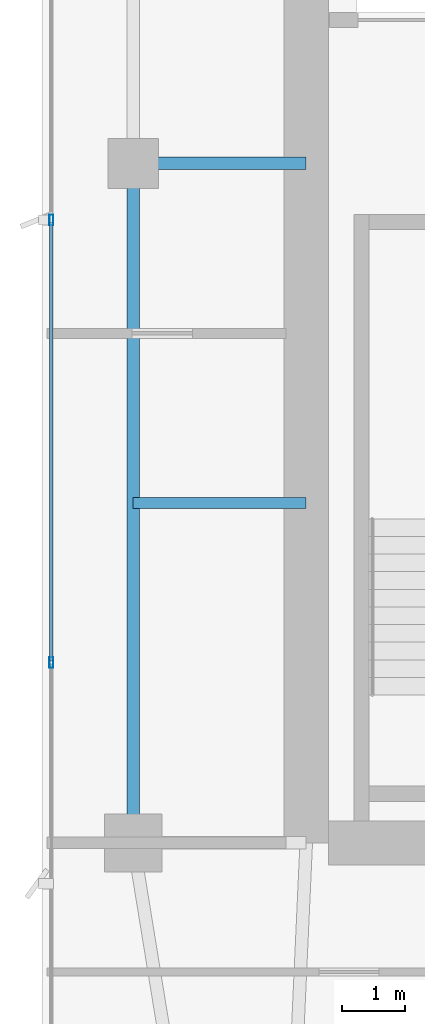
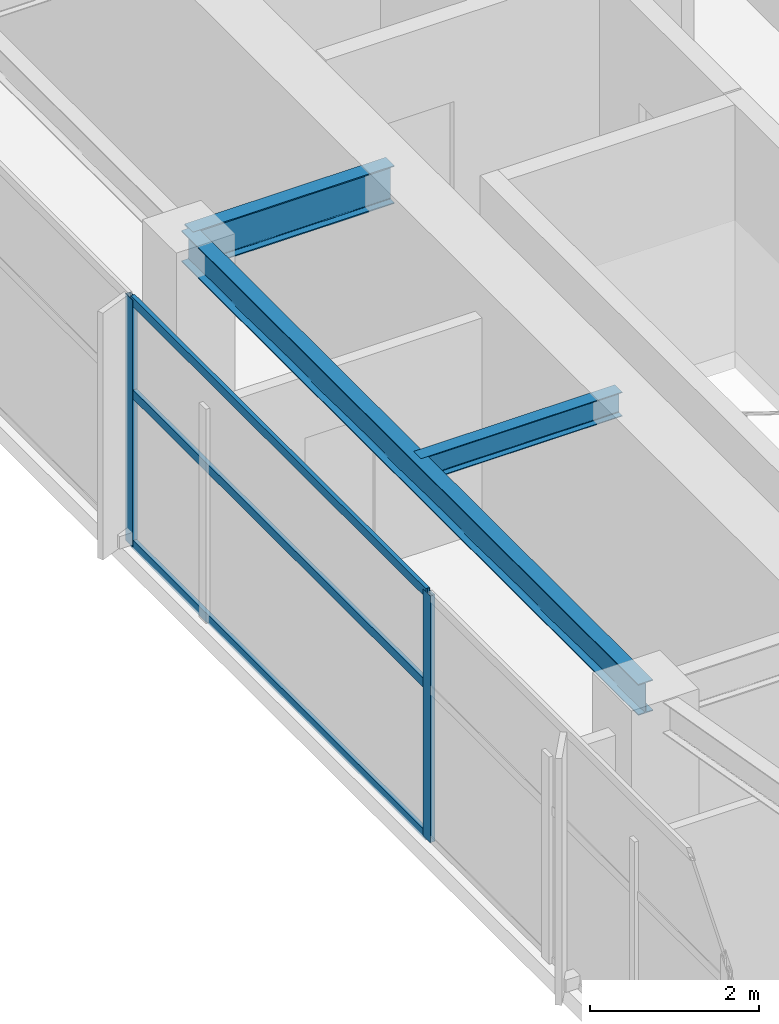
# One storey, part 9 of 29: 5 members, 3 beams, 1 element without a shape of its own.
"""IFC4 building model written with IfcOpenShell, lengths in metres."""

from ifc_helpers import new_model, si_unit, direction, frame, origin, origin_2d, place, context, subcontext, project, spatial, hollow_rectangle, i_section, extrude, material, layer, layer_set, material_profile, profile_set, type_object, element, aggregate, save


model = new_model("IFC4")

# Units and contexts
model_context = context("Model", 3, precision=1e-05, world=origin(), true_north=direction((0.0, 1.0)))
body_context = subcontext(model_context, "Body", "Model", "MODEL_VIEW")
ifc_project = project(units=[si_unit("LENGTHUNIT", "METRE"), si_unit("AREAUNIT", "SQUARE_METRE"), si_unit("VOLUMEUNIT", "CUBIC_METRE"), si_unit("PLANEANGLEUNIT", "RADIAN"), si_unit("MASSUNIT", "GRAM", prefix="KILO")], contexts=[model_context])

# Site, building, storey
site_placement = place(None, origin())
site = spatial("IfcSite", under=ifc_project, at=site_placement, CompositionType="ELEMENT")
building_placement = place(site_placement, origin())
building = spatial("IfcBuilding", under=site, at=building_placement, Name="Calvorn Quay Hotel", CompositionType="ELEMENT")
storey_placement = place(building_placement, frame((0.0, 0.0, 255.199951171875)))
storey = spatial("IfcBuildingStorey", under=building, at=storey_placement, Name="L63", CompositionType="ELEMENT", Elevation=255.199951171875)

# Beams
ifc_material_1 = material(Name="Steel Q355B", Category="steel")
ifc_material_profile_1 = material_profile(ifc_material_1, i_section(OverallWidth=0.199951171875, OverallDepth=0.550048828125, WebThickness=0.010009765625, FlangeThickness=0.01611328125, FilletRadius=0.01806640625, at=origin_2d()), Name="HN550x200x10x16")
ifc_profile_set_1 = profile_set([ifc_material_profile_1], Name="Steel Q355B")
beam_type_1 = type_object("IfcBeamType", Name="BM-GIRD-UPP", PredefinedType="BEAM", material=ifc_profile_set_1)
beam_1_placement = place(storey_placement, frame((1.449951171875, 27.60009765625, 3.26513671875), z_axis=(1.0, 0.0, 0.0), x_axis=(0.0, 1.0, 0.0)))
element("IfcBeam", 1, at=beam_1_placement, inside=storey, type_object=beam_type_1, Name="Beam BG-L63-W2", PredefinedType="BEAM", context=body_context, shape_type="SweptSolid", body=[
    extrude(i_section(OverallWidth=0.199951171875, OverallDepth=0.550048828125, WebThickness=0.010009765625, FlangeThickness=0.01611328125, FilletRadius=0.01806640625, at=origin_2d()), origin(), (0.0, 0.0, 1.0), 2.75),
])
ifc_material_2 = material(Name="Steel Q355B", Category="steel")
ifc_material_profile_2 = material_profile(ifc_material_2, i_section(OverallWidth=0.175048828125, OverallDepth=0.35009765625, WebThickness=0.007080078125, FlangeThickness=0.010986328125, FilletRadius=0.013916015625, at=origin_2d()), Name="HN350x175x7x11")
ifc_profile_set_2 = profile_set([ifc_material_profile_2], Name="Steel Q355B")
beam_type_2 = type_object("IfcBeamType", Name="BM-JOIST-SEC", PredefinedType="JOIST", material=ifc_profile_set_2)
beam_2_placement = place(storey_placement, frame((1.449951171875, 22.199951171875, 3.364990234375), z_axis=(1.0, 0.0, 0.0), x_axis=(0.0, 1.0, 0.0)))
element("IfcBeam", 2, at=beam_2_placement, inside=storey, type_object=beam_type_2, Name="Beam BJ-L63-W3", PredefinedType="JOIST", context=body_context, shape_type="SweptSolid", body=[
    extrude(i_section(OverallWidth=0.175048828125, OverallDepth=0.35009765625, WebThickness=0.007080078125, FlangeThickness=0.010986328125, FilletRadius=0.013916015625, at=origin_2d()), origin(), (0.0, 0.0, 1.0), 2.75),
])
ifc_material_3 = material(Name="Steel Q355B", Category="steel")
ifc_material_profile_3 = material_profile(ifc_material_3, i_section(OverallWidth=0.199951171875, OverallDepth=0.449951171875, WebThickness=0.009033203125, FlangeThickness=0.013916015625, FilletRadius=0.01611328125, at=origin_2d()), Name="HN450x200x9x14")
ifc_profile_set_3 = profile_set([ifc_material_profile_3], Name="Steel Q355B")
beam_type_3 = type_object("IfcBeamType", Name="BM-SPANDREL-Z3", PredefinedType="SPANDREL", material=ifc_profile_set_3)
beam_3_placement = place(storey_placement, frame((1.449951171875, 16.800048828125, 3.31494140625), z_axis=(0.0, 1.0, 0.0), x_axis=(-1.0, 0.0, 0.0)))
element("IfcBeam", 3, at=beam_3_placement, inside=storey, type_object=beam_type_3, Name="Beam BSP-L63-W2", PredefinedType="SPANDREL", context=body_context, shape_type="SweptSolid", body=[
    extrude(i_section(OverallWidth=0.199951171875, OverallDepth=0.449951171875, WebThickness=0.009033203125, FlangeThickness=0.013916015625, FilletRadius=0.01611328125, at=origin_2d()), origin(), (0.0, 0.0, 1.0), 10.800048828125),
])

# Curtain wall, members
ifc_material_4 = material(Name="Champagne Bronze Anodised Aluminium and Low-E Glass", Category="aluminium")
ifc_layer = layer(ifc_material_4, 0.219970703125)
ifc_layer_set = layer_set([ifc_layer], Name="CW-SYS-Z4")
curtain_wall_type = type_object("IfcCurtainWallType", Name="CW-SYS-Z4", PredefinedType="NOTDEFINED", material=ifc_layer_set)
curtain_wall_placement = place(storey_placement, origin())
curtain_wall = element("IfcCurtainWall", 4, at=curtain_wall_placement, inside=storey, type_object=curtain_wall_type, Name="Tower West Curtain Wall (L63)", PredefinedType="NOTDEFINED")
ifc_material_5 = material(Name="Champagne Bronze Anodised Aluminium 6063-T6", Category="aluminium")
ifc_material_profile_4 = material_profile(ifc_material_5, hollow_rectangle(XDim=0.06494140625, YDim=0.169921875, WallThickness=0.00341796875, at=origin_2d()), Name="ALU-M170x65x3.5")
ifc_profile_set_4 = profile_set([ifc_material_profile_4], Name="Champagne Bronze Anodised Aluminium 6063-T6")
member_type_1 = type_object("IfcMemberType", Name="CW-SYS-Z4-MUL", PredefinedType="MULLION", material=ifc_profile_set_4)
member_1_placement = place(storey_placement, frame((0.14990234375, 19.666748046875, 0.0), z_axis=(0.0, 0.0, 1.0), x_axis=(-1.0, 0.0, 0.0)))
member_1 = element("IfcMember", 5, at=member_1_placement, type_object=member_type_1, Name="CW-L63-W mullion 3", PredefinedType="MULLION", context=body_context, shape_type="SweptSolid", body=[
    extrude(hollow_rectangle(XDim=0.06494140625, YDim=0.169921875, WallThickness=0.00341796875, at=origin_2d()), origin(), (0.0, 0.0, 1.0), 3.56005859375),
])
member_2_placement = place(storey_placement, frame((0.14990234375, 26.699951171875, 0.0), z_axis=(0.0, 0.0, 1.0), x_axis=(-1.0, 0.0, 0.0)))
member_2 = element("IfcMember", 6, at=member_2_placement, type_object=member_type_1, Name="CW-L63-W mullion 4", PredefinedType="MULLION", context=body_context, shape_type="SweptSolid", body=[
    extrude(hollow_rectangle(XDim=0.06494140625, YDim=0.169921875, WallThickness=0.00341796875, at=origin_2d()), origin(), (0.0, 0.0, 1.0), 3.56005859375),
])
ifc_material_6 = material(Name="Champagne Bronze Anodised Aluminium 6063-T6", Category="aluminium")
ifc_material_profile_5 = material_profile(ifc_material_6, hollow_rectangle(XDim=0.054931640625, YDim=0.1298828125, WallThickness=0.003173828125, at=origin_2d()), Name="ALU-T130x55x3.2")
ifc_profile_set_5 = profile_set([ifc_material_profile_5], Name="Champagne Bronze Anodised Aluminium 6063-T6")
member_type_2 = type_object("IfcMemberType", Name="CW-SYS-Z4-TRN", PredefinedType="USERDEFINED", material=ifc_profile_set_5)
member_3_placement = place(storey_placement, frame((0.14990234375, 19.69677734375, 0.030029296875), z_axis=(0.0, 1.0, 0.0), x_axis=(-1.0, 0.0, 0.0)))
member_3 = element("IfcMember", 7, at=member_3_placement, type_object=member_type_2, Name="CW-L63-W transom 3.1", ObjectType="TRANSOM", PredefinedType="USERDEFINED", context=body_context, shape_type="SweptSolid", body=[
    extrude(hollow_rectangle(XDim=0.054931640625, YDim=0.1298828125, WallThickness=0.003173828125, at=origin_2d()), origin(), (0.0, 0.0, 1.0), 6.97314453125),
])
member_4_placement = place(storey_placement, frame((0.14990234375, 19.69677734375, 2.199951171875), z_axis=(0.0, 1.0, 0.0), x_axis=(-1.0, 0.0, 0.0)))
member_4 = element("IfcMember", 8, at=member_4_placement, type_object=member_type_2, Name="CW-L63-W transom 3.2", ObjectType="TRANSOM", PredefinedType="USERDEFINED", context=body_context, shape_type="SweptSolid", body=[
    extrude(hollow_rectangle(XDim=0.054931640625, YDim=0.1298828125, WallThickness=0.003173828125, at=origin_2d()), origin(), (0.0, 0.0, 1.0), 6.97314453125),
])
member_5_placement = place(storey_placement, frame((0.14990234375, 19.69677734375, 3.530029296875), z_axis=(0.0, 1.0, 0.0), x_axis=(-1.0, 0.0, 0.0)))
member_5 = element("IfcMember", 9, at=member_5_placement, type_object=member_type_2, Name="CW-L63-W transom 3.3", ObjectType="TRANSOM", PredefinedType="USERDEFINED", context=body_context, shape_type="SweptSolid", body=[
    extrude(hollow_rectangle(XDim=0.054931640625, YDim=0.1298828125, WallThickness=0.003173828125, at=origin_2d()), origin(), (0.0, 0.0, 1.0), 6.97314453125),
])
aggregate(curtain_wall, [member_1, member_2, member_3, member_4, member_5])

save(model, "model.ifc")
